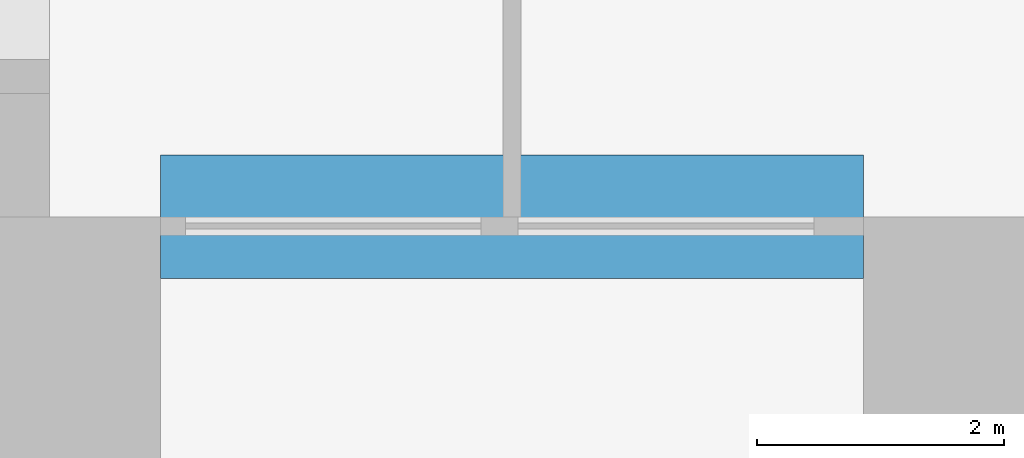
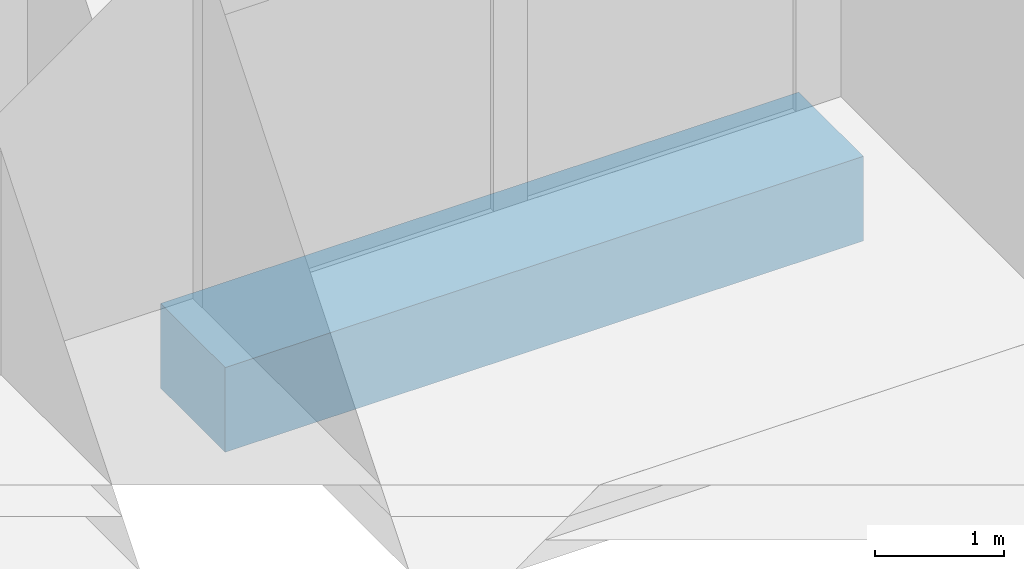
# One storey, part 3 of 21: 1 beam.
"""IFC4 building model written with IfcOpenShell, lengths in metres."""

import ifcopenshell
import ifcopenshell.guid

model = None  # the IFC model being written
_history = None  # IfcOwnerHistory: only IFC2X3 demands one
_inside = {}  # id of a spatial element -> (the spatial element, [elements in it])
_under = {}  # id of a project, library or spatial element -> (it, [spatial elements below it])
_declared = {}  # id of a project -> (the project, [libraries it declares])
_typed = {}  # id of a type object -> (the type object, [elements of that type])
_made_of = {}  # id of a material, layer set ... -> (it, [elements and type objects made of it])


def new_model(schema):
    """Start an empty IFC model of exactly this schema.

    Asked for "IFC4X3", IfcOpenShell would pick the latest addendum, in which some entities
    have other attributes; the version numbers below select the first issue.
    IFC2X3 requires an IfcOwnerHistory on every rooted entity: one is made here for all.
    """
    global model, _history
    if schema == "IFC4X3":
        model = ifcopenshell.file(schema_version=(4, 3, 0, 0))
    else:
        model = ifcopenshell.file(schema=schema)
    _inside.clear()
    _under.clear()
    _declared.clear()
    _typed.clear()
    _made_of.clear()
    _history = None
    if model.schema == "IFC2X3":
        org = make("IfcOrganization", Name="unknown")
        user = make(
            "IfcPersonAndOrganization",
            ThePerson=make("IfcPerson", FamilyName="unknown"),
            TheOrganization=org,
        )
        app = make(
            "IfcApplication",
            ApplicationDeveloper=org,
            Version="unknown",
            ApplicationFullName="unknown",
            ApplicationIdentifier="unknown",
        )
        _history = make(
            "IfcOwnerHistory",
            OwningUser=user,
            OwningApplication=app,
            ChangeAction="ADDED",
            CreationDate=0,
        )
    return model


def make(cls, **values):
    """One entity of the class cls with the attributes given. An attribute that is None is left unset."""
    return model.create_entity(
        cls, **{name: value for name, value in values.items() if value is not None}
    )


def rooted(cls, **values):
    """An entity with a GlobalId (a new one), such as an element, a storey or a relation."""
    return make(cls, GlobalId=ifcopenshell.guid.new(), OwnerHistory=_history, **values)


def si_unit(unit_type, name, prefix=None):
    """IfcSIUnit, for example si_unit("LENGTHUNIT", "METRE", prefix="MILLI")."""
    return make("IfcSIUnit", UnitType=unit_type, Prefix=prefix, Name=name)


def assignment(units):
    """IfcUnitAssignment: the units of a project."""
    return None if units is None else make("IfcUnitAssignment", Units=units)


def point(xyz):
    """IfcCartesianPoint."""
    return None if xyz is None else make("IfcCartesianPoint", Coordinates=xyz)


def direction(xyz):
    """IfcDirection."""
    return None if xyz is None else make("IfcDirection", DirectionRatios=xyz)


def frame(location, z_axis=None, x_axis=None):
    """IfcAxis2Placement3D, a coordinate frame: its origin and axes. An axis left out is left unset."""
    return make(
        "IfcAxis2Placement3D",
        Location=point(location),
        Axis=direction(z_axis),
        RefDirection=direction(x_axis),
    )


def frame_2d(location, x_axis=None):
    """IfcAxis2Placement2D, a coordinate frame in the plane: its origin and x axis."""
    return make(
        "IfcAxis2Placement2D", Location=point(location), RefDirection=direction(x_axis)
    )


def origin():
    """The frame at (0, 0, 0) with its axes left unset."""
    return frame((0.0, 0.0, 0.0))


def origin_2d():
    """The frame at (0, 0) in the plane with its x axis left unset."""
    return frame_2d((0.0, 0.0))


def place(relative_to, where):
    """IfcLocalPlacement: puts the frame where relative to a parent placement (None: the world)."""
    return make(
        "IfcLocalPlacement", PlacementRelTo=relative_to, RelativePlacement=where
    )


def context(
    kind, dimensions, precision=None, world=None, true_north=None, identifier=None
):
    """IfcGeometricRepresentationContext, for example the 3D "Model" context."""
    return make(
        "IfcGeometricRepresentationContext",
        ContextIdentifier=identifier,
        ContextType=kind,
        CoordinateSpaceDimension=dimensions,
        Precision=precision,
        WorldCoordinateSystem=world,
        TrueNorth=true_north,
    )


def subcontext(parent, identifier, kind, view, scale=None):
    """IfcGeometricRepresentationSubContext, for example "Body" below "Model"."""
    return make(
        "IfcGeometricRepresentationSubContext",
        ContextIdentifier=identifier,
        ContextType=kind,
        ParentContext=parent,
        TargetScale=scale,
        TargetView=view,
    )


def project(units=None, contexts=None):
    """IfcProject with its units and contexts."""
    return rooted(
        "IfcProject",
        Name="project",
        RepresentationContexts=contexts,
        UnitsInContext=assignment(units),
    )


def spatial(cls, under=None, at=None, **own):
    """A site, building, storey or space (cls), placed at a placement, below another one or the project."""
    s = rooted(cls, ObjectPlacement=at, **own)
    if under is not None:
        _under.setdefault(under.id(), (under, []))[1].append(s)
    return s


def profile(cls, at=None, kind="AREA", **sizes):
    """A parametric profile (cls). Its sizes go by their IFC names, for example OverallWidth=200.0."""
    return make(cls, ProfileType=kind, Position=at, **sizes)


def rectangle(**sizes):
    """IfcRectangleProfileDef."""
    return profile("IfcRectangleProfileDef", **sizes)


def extrude(swept, where, along, depth):
    """IfcExtrudedAreaSolid: the profile swept, set in the frame where, extruded along a direction by depth."""
    return make(
        "IfcExtrudedAreaSolid",
        SweptArea=swept,
        Position=where,
        ExtrudedDirection=direction(along),
        Depth=depth,
    )


def shape(context_of_items, identifier, shape_type, items):
    """IfcShapeRepresentation: the items that make up one representation, for example the "Body"."""
    return make(
        "IfcShapeRepresentation",
        ContextOfItems=context_of_items,
        RepresentationIdentifier=identifier,
        RepresentationType=shape_type,
        Items=items,
    )


def material(Name=None, Category=None):
    """IfcMaterial."""
    return make("IfcMaterial", Name=Name, Category=Category)


def material_profile(
    of_material, cross_section, Name=None, Category=None, Priority=None
):
    """IfcMaterialProfile: a cross section and its material."""
    return make(
        "IfcMaterialProfile",
        Name=Name,
        Material=of_material,
        Profile=cross_section,
        Priority=Priority,
        Category=Category,
    )


def profile_set(profiles, Name=None, composite=None):
    """IfcMaterialProfileSet."""
    return make(
        "IfcMaterialProfileSet",
        Name=Name,
        MaterialProfiles=profiles,
        CompositeProfile=composite,
    )


def made_of(thing, what):
    """Note that an element or type object is made of a material, layer set ...; save() writes the relation."""
    if what is not None:
        _made_of.setdefault(what.id(), (what, []))[1].append(thing)
    return thing


def type_object(cls, material=None, **own):
    """A type object (cls), such as IfcWallType, which elements share."""
    return made_of(rooted(cls, **own), material)


def element(
    cls,
    number,
    at=None,
    inside=None,
    cuts=None,
    type_object=None,
    material=None,
    context=None,
    identifier="Body",
    shape_type=None,
    held_by="IfcProductDefinitionShape",
    body=None,
    shapes=None,
    **own,
):
    """One element of the class cls, such as IfcWall. Its Tag is "e" and its number.

    at: its placement. inside: the storey or other place that contains it. cuts: it is an
    opening in that element (IfcRelVoidsElement). A single representation is given by context,
    identifier, shape_type and body (its items); several are given by shapes. held_by: the class
    of the entity that holds the representations. save() writes the other relations.
    """
    e = rooted(cls, Tag="e%d" % number, ObjectPlacement=at, **own)
    if body is not None:
        shapes = [shape(context, identifier, shape_type, body)]
    if shapes is not None:
        e.Representation = make(held_by, Representations=shapes)
    if inside is not None:
        _inside.setdefault(inside.id(), (inside, []))[1].append(e)
    if cuts is not None:
        rooted(
            "IfcRelVoidsElement", RelatingBuildingElement=cuts, RelatedOpeningElement=e
        )
    if type_object is not None:
        _typed.setdefault(type_object.id(), (type_object, []))[1].append(e)
    return made_of(e, material)


def aggregate(whole, parts):
    """IfcRelAggregates: a whole, such as a stair, and the parts it consists of."""
    return rooted("IfcRelAggregates", RelatingObject=whole, RelatedObjects=parts)


def save(model, path):
    """Write the relations noted so far, then the file.

    IfcRelAggregates (storeys below a building ...), IfcRelContainedInSpatialStructure (elements
    in a storey), IfcRelDefinesByType, IfcRelAssociatesMaterial and IfcRelDeclares: one each for
    every whole, place, type object, material and project.
    """
    for whole, parts in _under.values():
        aggregate(whole, parts)
    for where, things in _inside.values():
        rooted(
            "IfcRelContainedInSpatialStructure",
            RelatedElements=things,
            RelatingStructure=where,
        )
    for kind, things in _typed.values():
        rooted("IfcRelDefinesByType", RelatedObjects=things, RelatingType=kind)
    for what, things in _made_of.values():
        rooted("IfcRelAssociatesMaterial", RelatedObjects=things, RelatingMaterial=what)
    for by, libraries in _declared.values():
        rooted("IfcRelDeclares", RelatingContext=by, RelatedDefinitions=libraries)
    model.write(path)


model = new_model("IFC4")

# Units and contexts
model_context = context("Model", 3, precision=1e-05, world=origin(), true_north=direction((0.0, 1.0)))
body_context = subcontext(model_context, "Body", "Model", "MODEL_VIEW")
ifc_project = project(units=[si_unit("LENGTHUNIT", "METRE"), si_unit("AREAUNIT", "SQUARE_METRE"), si_unit("VOLUMEUNIT", "CUBIC_METRE"), si_unit("PLANEANGLEUNIT", "RADIAN"), si_unit("MASSUNIT", "GRAM", prefix="KILO")], contexts=[model_context])

# Site, building, storey
site_placement = place(None, origin())
site = spatial("IfcSite", under=ifc_project, at=site_placement, CompositionType="ELEMENT")
building_placement = place(site_placement, origin())
building = spatial("IfcBuilding", under=site, at=building_placement, Name="Pilkhan Gate Tower", CompositionType="ELEMENT")
storey_placement = place(building_placement, origin())
storey = spatial("IfcBuildingStorey", under=building, at=storey_placement, Name="L00", CompositionType="ELEMENT", Elevation=0.0)

# Beam
ifc_material = material(Name="Concrete C50/60", Category="concrete")
ifc_material_profile = material_profile(ifc_material, rectangle(XDim=1.0, YDim=0.800048828125, at=origin_2d()), Name="RC 1000x800")
ifc_profile_set = profile_set([ifc_material_profile], Name="Concrete C50/60")
beam_type = type_object("IfcBeamType", Name="Podium joist PJ80 RC 1000x800 C50/60", PredefinedType="JOIST", material=ifc_profile_set)
beam_placement = place(storey_placement, frame((90.89990234375, 71.25, -0.75), z_axis=(1.0, 0.0, 0.0), x_axis=(0.0, 1.0, 0.0)))
element("IfcBeam", 1, at=beam_placement, inside=storey, type_object=beam_type, Name="Podium beam 10 L00", PredefinedType="JOIST", context=body_context, shape_type="SweptSolid", body=[
    extrude(rectangle(XDim=1.0, YDim=0.800048828125, at=origin_2d()), origin(), (0.0, 0.0, 1.0), 5.7001953125),
])

save(model, "model.ifc")
